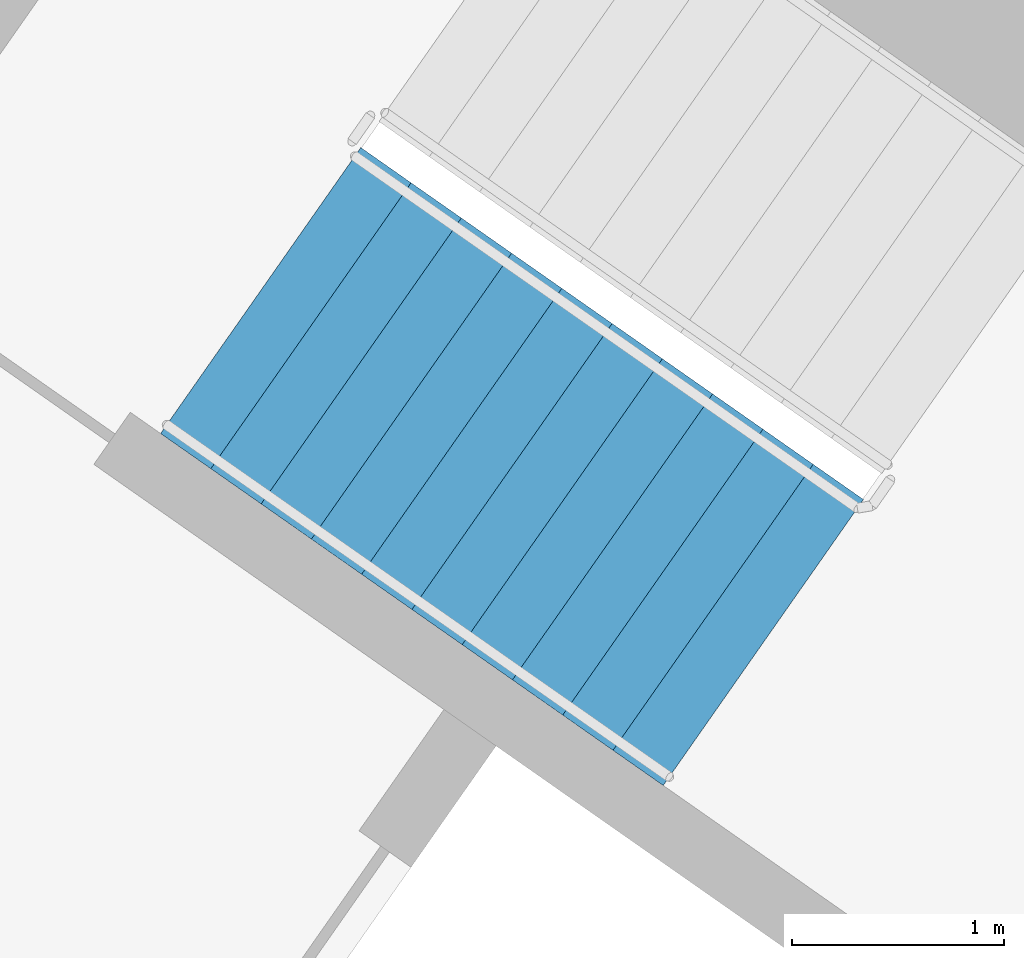
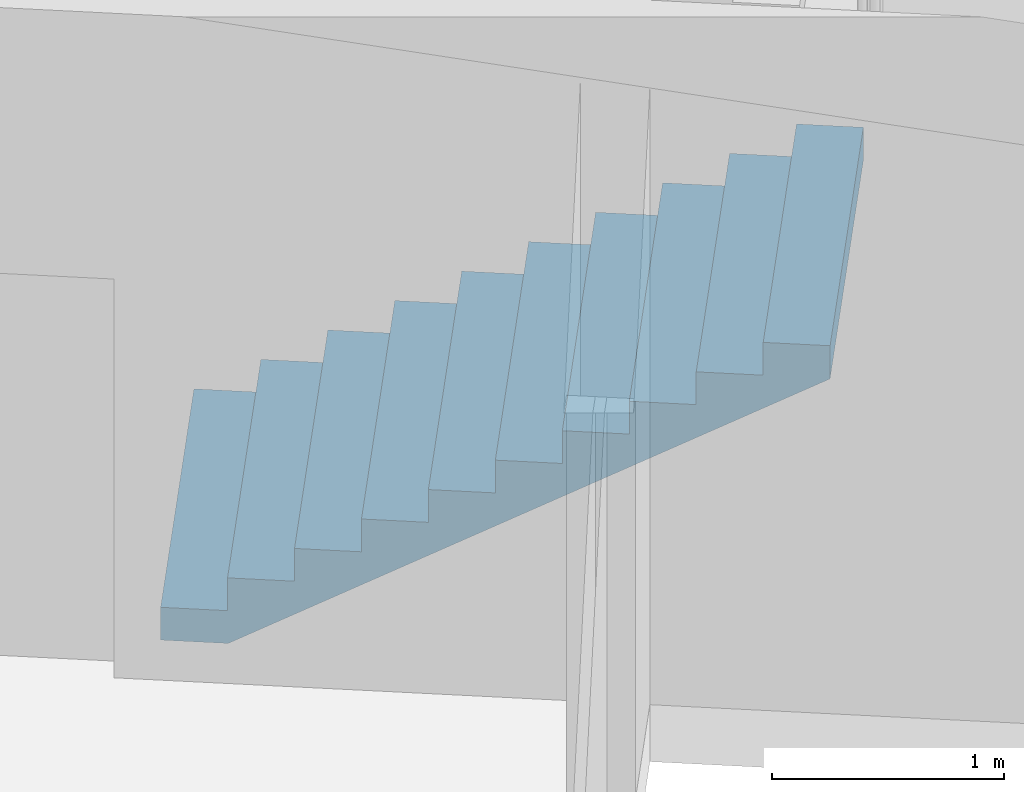
# One storey, part 11 of 29: 1 stair flight, 1 element without a shape of its own.
"""IFC4 building model written with IfcOpenShell, lengths in metres."""

from ifc_helpers import new_model, si_unit, direction, frame, origin, place, context, subcontext, project, spatial, faceted_brep, material, type_object, element, aggregate, save


model = new_model("IFC4")

# Units and contexts
model_context = context("Model", 3, precision=1e-05, world=origin(), true_north=direction((0.0, 1.0)))
body_context = subcontext(model_context, "Body", "Model", "MODEL_VIEW")
ifc_project = project(units=[si_unit("LENGTHUNIT", "METRE"), si_unit("AREAUNIT", "SQUARE_METRE"), si_unit("VOLUMEUNIT", "CUBIC_METRE"), si_unit("PLANEANGLEUNIT", "RADIAN"), si_unit("MASSUNIT", "GRAM", prefix="KILO")], contexts=[model_context])

# Site, building, storey
site_placement = place(None, origin())
site = spatial("IfcSite", under=ifc_project, at=site_placement, CompositionType="ELEMENT")
building_placement = place(site_placement, origin())
building = spatial("IfcBuilding", under=site, at=building_placement, Name="Qamariyya Broadcast Tower", CompositionType="ELEMENT")
storey_placement = place(building_placement, frame((0.0, 0.0, 121.5)))
storey = spatial("IfcBuildingStorey", under=building, at=storey_placement, Name="L27", CompositionType="ELEMENT", Elevation=121.5)

# Stair, stair flight
ifc_material = material(Name="Concrete C50/60", Category="concrete")
stair_type = type_object("IfcStairType", Name="Exit stair 22 risers of 173 mm", PredefinedType="HALF_TURN_STAIR", material=ifc_material)
stair_placement = place(storey_placement, origin())
stair = element("IfcStair", 1, at=stair_placement, inside=storey, type_object=stair_type, Name="L27 Stair W2", PredefinedType="HALF_TURN_STAIR")
stair_flight_type = type_object("IfcStairFlightType", Name="Exit stair flight 11 risers of 173 mm", PredefinedType="STRAIGHT", material=ifc_material)
stair_flight_placement = place(storey_placement, frame((-41.59130859375, -49.15966796875, 0.0), z_axis=(0.0, 0.0, 1.0), x_axis=(0.819152044289, -0.573576436351, 0.0)))
stair_flight = element("IfcStairFlight", 2, at=stair_flight_placement, type_object=stair_flight_type, Name="ST-W2 flight 1", NumberOfRisers=11, NumberOfTreads=10, PredefinedType="STRAIGHT", RiserHeight=0.172727273, TreadLength=0.29, context=body_context, shape_type="Brep", body=[
    faceted_brep([(0.0, 0.824951171875, 0.0), (0.0, 0.824951171875, 0.172607421875), (0.2900390625, 0.824951171875, 0.172607421875), (0.2900390625, 0.824951171875, 0.345458984375), (0.580078125, 0.824951171875, 0.345458984375), (0.580078125, 0.824951171875, 0.51806640625), (0.8701171875, 0.824951171875, 0.51806640625), (0.8701171875, 0.824951171875, 0.69091796875), (1.159912109375, 0.824951171875, 0.69091796875), (1.159912109375, 0.824951171875, 0.863525390625), (1.449951171875, 0.824951171875, 0.863525390625), (1.449951171875, 0.824951171875, 1.036376953125), (1.739990234375, 0.824951171875, 1.036376953125), (1.739990234375, 0.824951171875, 1.208984375), (2.030029296875, 0.824951171875, 1.208984375), (2.030029296875, 0.824951171875, 1.3818359375), (2.320068359375, 0.824951171875, 1.3818359375), (2.320068359375, 0.824951171875, 1.554443359375), (2.610107421875, 0.824951171875, 1.554443359375), (2.610107421875, 0.824951171875, 1.727294921875), (2.89990234375, 0.824951171875, 1.727294921875), (2.89990234375, 0.824951171875, 1.552734375), (0.29296875, 0.824951171875, 0.0), (0.29296875, -0.824951171875, 0.0), (2.89990234375, -0.824951171875, 1.552734375), (2.89990234375, -0.824951171875, 1.727294921875), (2.610107421875, -0.824951171875, 1.727294921875), (2.610107421875, -0.824951171875, 1.554443359375), (2.320068359375, -0.824951171875, 1.554443359375), (2.320068359375, -0.824951171875, 1.3818359375), (2.030029296875, -0.824951171875, 1.3818359375), (2.030029296875, -0.824951171875, 1.208984375), (1.739990234375, -0.824951171875, 1.208984375), (1.739990234375, -0.824951171875, 1.036376953125), (1.449951171875, -0.824951171875, 1.036376953125), (1.449951171875, -0.824951171875, 0.863525390625), (1.159912109375, -0.824951171875, 0.863525390625), (1.159912109375, -0.824951171875, 0.69091796875), (0.8701171875, -0.824951171875, 0.69091796875), (0.8701171875, -0.824951171875, 0.51806640625), (0.580078125, -0.824951171875, 0.51806640625), (0.580078125, -0.824951171875, 0.345458984375), (0.2900390625, -0.824951171875, 0.345458984375), (0.2900390625, -0.824951171875, 0.172607421875), (0.0, -0.824951171875, 0.172607421875), (0.0, -0.824951171875, 0.0), (0.0, 0.10009765625, 0.0), (0.0, 0.086669921875, 0.0), (0.0, 0.0732421875, 0.0), (0.0, 0.06005859375, 0.0), (0.0, 0.046630859375, 0.0), (0.0, 0.033447265625, 0.0), (0.0, 0.02001953125, 0.0), (0.0, 0.006591796875, 0.0), (0.0, -0.006591796875, 0.0), (0.0, -0.02001953125, 0.0), (0.0, -0.033447265625, 0.0), (0.0, -0.046630859375, 0.0), (0.0, -0.06005859375, 0.0), (0.0, -0.0732421875, 0.0), (0.0, -0.086669921875, 0.0), (0.0, -0.10009765625, 0.0), (0.0, -0.10009765625, 0.172607421875), (0.0, -0.086669921875, 0.172607421875), (0.0, -0.0732421875, 0.172607421875), (0.0, -0.06005859375, 0.172607421875), (0.0, -0.046630859375, 0.172607421875), (0.0, -0.033447265625, 0.172607421875), (0.0, -0.02001953125, 0.172607421875), (0.0, -0.006591796875, 0.172607421875), (0.0, 0.006591796875, 0.172607421875), (0.0, 0.02001953125, 0.172607421875), (0.0, 0.033447265625, 0.172607421875), (0.0, 0.046630859375, 0.172607421875), (0.0, 0.06005859375, 0.172607421875), (0.0, 0.0732421875, 0.172607421875), (0.0, 0.086669921875, 0.172607421875), (0.0, 0.10009765625, 0.172607421875), (0.2900390625, -0.10009765625, 0.172607421875), (0.2900390625, -0.086669921875, 0.172607421875), (0.2900390625, -0.0732421875, 0.172607421875), (0.2900390625, -0.06005859375, 0.172607421875), (0.2900390625, -0.046630859375, 0.172607421875), (0.2900390625, -0.033447265625, 0.172607421875), (0.2900390625, -0.02001953125, 0.172607421875), (0.2900390625, -0.006591796875, 0.172607421875), (0.2900390625, 0.006591796875, 0.172607421875), (0.2900390625, 0.02001953125, 0.172607421875), (0.2900390625, 0.033447265625, 0.172607421875), (0.2900390625, 0.046630859375, 0.172607421875), (0.2900390625, 0.06005859375, 0.172607421875), (0.2900390625, 0.0732421875, 0.172607421875), (0.2900390625, 0.086669921875, 0.172607421875), (0.2900390625, 0.10009765625, 0.172607421875), (0.2900390625, -0.10009765625, 0.345458984375), (0.2900390625, -0.086669921875, 0.345458984375), (0.2900390625, -0.0732421875, 0.345458984375), (0.2900390625, -0.06005859375, 0.345458984375), (0.2900390625, -0.046630859375, 0.345458984375), (0.2900390625, -0.033447265625, 0.345458984375), (0.2900390625, -0.02001953125, 0.345458984375), (0.2900390625, -0.006591796875, 0.345458984375), (0.2900390625, 0.006591796875, 0.345458984375), (0.2900390625, 0.02001953125, 0.345458984375), (0.2900390625, 0.033447265625, 0.345458984375), (0.2900390625, 0.046630859375, 0.345458984375), (0.2900390625, 0.06005859375, 0.345458984375), (0.2900390625, 0.0732421875, 0.345458984375), (0.2900390625, 0.086669921875, 0.345458984375), (0.2900390625, 0.10009765625, 0.345458984375), (0.580078125, -0.10009765625, 0.345458984375), (0.580078125, -0.086669921875, 0.345458984375), (0.580078125, -0.0732421875, 0.345458984375), (0.580078125, -0.06005859375, 0.345458984375), (0.580078125, -0.046630859375, 0.345458984375), (0.580078125, -0.033447265625, 0.345458984375), (0.580078125, -0.02001953125, 0.345458984375), (0.580078125, -0.006591796875, 0.345458984375), (0.580078125, 0.006591796875, 0.345458984375), (0.580078125, 0.02001953125, 0.345458984375), (0.580078125, 0.033447265625, 0.345458984375), (0.580078125, 0.046630859375, 0.345458984375), (0.580078125, 0.06005859375, 0.345458984375), (0.580078125, 0.0732421875, 0.345458984375), (0.580078125, 0.086669921875, 0.345458984375), (0.580078125, 0.10009765625, 0.345458984375), (0.580078125, -0.10009765625, 0.51806640625), (0.580078125, -0.086669921875, 0.51806640625), (0.580078125, -0.0732421875, 0.51806640625), (0.580078125, -0.06005859375, 0.51806640625), (0.580078125, -0.046630859375, 0.51806640625), (0.580078125, -0.033447265625, 0.51806640625), (0.580078125, -0.02001953125, 0.51806640625), (0.580078125, -0.006591796875, 0.51806640625), (0.580078125, 0.006591796875, 0.51806640625), (0.580078125, 0.02001953125, 0.51806640625), (0.580078125, 0.033447265625, 0.51806640625), (0.580078125, 0.046630859375, 0.51806640625), (0.580078125, 0.06005859375, 0.51806640625), (0.580078125, 0.0732421875, 0.51806640625), (0.580078125, 0.086669921875, 0.51806640625), (0.580078125, 0.10009765625, 0.51806640625), (0.8701171875, -0.10009765625, 0.51806640625), (0.8701171875, -0.086669921875, 0.51806640625), (0.8701171875, -0.0732421875, 0.51806640625), (0.8701171875, -0.06005859375, 0.51806640625), (0.8701171875, -0.046630859375, 0.51806640625), (0.8701171875, -0.033447265625, 0.51806640625), (0.8701171875, -0.02001953125, 0.51806640625), (0.8701171875, -0.006591796875, 0.51806640625), (0.8701171875, 0.006591796875, 0.51806640625), (0.8701171875, 0.02001953125, 0.51806640625), (0.8701171875, 0.033447265625, 0.51806640625), (0.8701171875, 0.046630859375, 0.51806640625), (0.8701171875, 0.06005859375, 0.51806640625), (0.8701171875, 0.0732421875, 0.51806640625), (0.8701171875, 0.086669921875, 0.51806640625), (0.8701171875, 0.10009765625, 0.51806640625), (0.8701171875, -0.10009765625, 0.69091796875), (0.8701171875, -0.086669921875, 0.69091796875), (0.8701171875, -0.0732421875, 0.69091796875), (0.8701171875, -0.06005859375, 0.69091796875), (0.8701171875, -0.046630859375, 0.69091796875), (0.8701171875, -0.033447265625, 0.69091796875), (0.8701171875, -0.02001953125, 0.69091796875), (0.8701171875, -0.006591796875, 0.69091796875), (0.8701171875, 0.006591796875, 0.69091796875), (0.8701171875, 0.02001953125, 0.69091796875), (0.8701171875, 0.033447265625, 0.69091796875), (0.8701171875, 0.046630859375, 0.69091796875), (0.8701171875, 0.06005859375, 0.69091796875), (0.8701171875, 0.0732421875, 0.69091796875), (0.8701171875, 0.086669921875, 0.69091796875), (0.8701171875, 0.10009765625, 0.69091796875), (1.159912109375, -0.10009765625, 0.69091796875), (1.159912109375, -0.086669921875, 0.69091796875), (1.159912109375, -0.0732421875, 0.69091796875), (1.159912109375, -0.06005859375, 0.69091796875), (1.159912109375, -0.046630859375, 0.69091796875), (1.159912109375, -0.033447265625, 0.69091796875), (1.159912109375, -0.02001953125, 0.69091796875), (1.159912109375, -0.006591796875, 0.69091796875), (1.159912109375, 0.006591796875, 0.69091796875), (1.159912109375, 0.02001953125, 0.69091796875), (1.159912109375, 0.033447265625, 0.69091796875), (1.159912109375, 0.046630859375, 0.69091796875), (1.159912109375, 0.06005859375, 0.69091796875), (1.159912109375, 0.0732421875, 0.69091796875), (1.159912109375, 0.086669921875, 0.69091796875), (1.159912109375, 0.10009765625, 0.69091796875), (1.159912109375, -0.10009765625, 0.863525390625), (1.159912109375, -0.086669921875, 0.863525390625), (1.159912109375, -0.0732421875, 0.863525390625), (1.159912109375, -0.06005859375, 0.863525390625), (1.159912109375, -0.046630859375, 0.863525390625), (1.159912109375, -0.033447265625, 0.863525390625), (1.159912109375, -0.02001953125, 0.863525390625), (1.159912109375, -0.006591796875, 0.863525390625), (1.159912109375, 0.006591796875, 0.863525390625), (1.159912109375, 0.02001953125, 0.863525390625), (1.159912109375, 0.033447265625, 0.863525390625), (1.159912109375, 0.046630859375, 0.863525390625), (1.159912109375, 0.06005859375, 0.863525390625), (1.159912109375, 0.0732421875, 0.863525390625), (1.159912109375, 0.086669921875, 0.863525390625), (1.159912109375, 0.10009765625, 0.863525390625), (1.449951171875, -0.10009765625, 0.863525390625), (1.449951171875, -0.086669921875, 0.863525390625), (1.449951171875, -0.0732421875, 0.863525390625), (1.449951171875, -0.06005859375, 0.863525390625), (1.449951171875, -0.046630859375, 0.863525390625), (1.449951171875, -0.033447265625, 0.863525390625), (1.449951171875, -0.02001953125, 0.863525390625), (1.449951171875, -0.006591796875, 0.863525390625), (1.449951171875, 0.006591796875, 0.863525390625), (1.449951171875, 0.02001953125, 0.863525390625), (1.449951171875, 0.033447265625, 0.863525390625), (1.449951171875, 0.046630859375, 0.863525390625), (1.449951171875, 0.06005859375, 0.863525390625), (1.449951171875, 0.0732421875, 0.863525390625), (1.449951171875, 0.086669921875, 0.863525390625), (1.449951171875, 0.10009765625, 0.863525390625), (1.449951171875, -0.10009765625, 1.036376953125), (1.449951171875, -0.086669921875, 1.036376953125), (1.449951171875, -0.0732421875, 1.036376953125), (1.449951171875, -0.06005859375, 1.036376953125), (1.449951171875, -0.046630859375, 1.036376953125), (1.449951171875, -0.033447265625, 1.036376953125), (1.449951171875, -0.02001953125, 1.036376953125), (1.449951171875, -0.006591796875, 1.036376953125), (1.449951171875, 0.006591796875, 1.036376953125), (1.449951171875, 0.02001953125, 1.036376953125), (1.449951171875, 0.033447265625, 1.036376953125), (1.449951171875, 0.046630859375, 1.036376953125), (1.449951171875, 0.06005859375, 1.036376953125), (1.449951171875, 0.0732421875, 1.036376953125), (1.449951171875, 0.086669921875, 1.036376953125), (1.449951171875, 0.10009765625, 1.036376953125), (1.739990234375, -0.10009765625, 1.036376953125), (1.739990234375, -0.086669921875, 1.036376953125), (1.739990234375, -0.0732421875, 1.036376953125), (1.739990234375, -0.06005859375, 1.036376953125), (1.739990234375, -0.046630859375, 1.036376953125), (1.739990234375, -0.033447265625, 1.036376953125), (1.739990234375, -0.02001953125, 1.036376953125), (1.739990234375, -0.006591796875, 1.036376953125), (1.739990234375, 0.006591796875, 1.036376953125), (1.739990234375, 0.02001953125, 1.036376953125), (1.739990234375, 0.033447265625, 1.036376953125), (1.739990234375, 0.046630859375, 1.036376953125), (1.739990234375, 0.06005859375, 1.036376953125), (1.739990234375, 0.0732421875, 1.036376953125), (1.739990234375, 0.086669921875, 1.036376953125), (1.739990234375, 0.10009765625, 1.036376953125), (1.739990234375, -0.10009765625, 1.208984375), (1.739990234375, -0.086669921875, 1.208984375), (1.739990234375, -0.0732421875, 1.208984375), (1.739990234375, -0.06005859375, 1.208984375), (1.739990234375, -0.046630859375, 1.208984375), (1.739990234375, -0.033447265625, 1.208984375), (1.739990234375, -0.02001953125, 1.208984375), (1.739990234375, -0.006591796875, 1.208984375), (1.739990234375, 0.006591796875, 1.208984375), (1.739990234375, 0.02001953125, 1.208984375), (1.739990234375, 0.033447265625, 1.208984375), (1.739990234375, 0.046630859375, 1.208984375), (1.739990234375, 0.06005859375, 1.208984375), (1.739990234375, 0.0732421875, 1.208984375), (1.739990234375, 0.086669921875, 1.208984375), (1.739990234375, 0.10009765625, 1.208984375), (2.030029296875, -0.10009765625, 1.208984375), (2.030029296875, -0.086669921875, 1.208984375), (2.030029296875, -0.0732421875, 1.208984375), (2.030029296875, -0.06005859375, 1.208984375), (2.030029296875, -0.046630859375, 1.208984375), (2.030029296875, -0.033447265625, 1.208984375), (2.030029296875, -0.02001953125, 1.208984375), (2.030029296875, -0.006591796875, 1.208984375), (2.030029296875, 0.006591796875, 1.208984375), (2.030029296875, 0.02001953125, 1.208984375), (2.030029296875, 0.033447265625, 1.208984375), (2.030029296875, 0.046630859375, 1.208984375), (2.030029296875, 0.06005859375, 1.208984375), (2.030029296875, 0.0732421875, 1.208984375), (2.030029296875, 0.086669921875, 1.208984375), (2.030029296875, 0.10009765625, 1.208984375), (2.030029296875, -0.10009765625, 1.3818359375), (2.030029296875, -0.086669921875, 1.3818359375), (2.030029296875, -0.0732421875, 1.3818359375), (2.030029296875, -0.06005859375, 1.3818359375), (2.030029296875, -0.046630859375, 1.3818359375), (2.030029296875, -0.033447265625, 1.3818359375), (2.030029296875, -0.02001953125, 1.3818359375), (2.030029296875, -0.006591796875, 1.3818359375), (2.030029296875, 0.006591796875, 1.3818359375), (2.030029296875, 0.02001953125, 1.3818359375), (2.030029296875, 0.033447265625, 1.3818359375), (2.030029296875, 0.046630859375, 1.3818359375), (2.030029296875, 0.06005859375, 1.3818359375), (2.030029296875, 0.0732421875, 1.3818359375), (2.030029296875, 0.086669921875, 1.3818359375), (2.030029296875, 0.10009765625, 1.3818359375), (2.320068359375, -0.10009765625, 1.3818359375), (2.320068359375, -0.086669921875, 1.3818359375), (2.320068359375, -0.0732421875, 1.3818359375), (2.320068359375, -0.06005859375, 1.3818359375), (2.320068359375, -0.046630859375, 1.3818359375), (2.320068359375, -0.033447265625, 1.3818359375), (2.320068359375, -0.02001953125, 1.3818359375), (2.320068359375, -0.006591796875, 1.3818359375), (2.320068359375, 0.006591796875, 1.3818359375), (2.320068359375, 0.02001953125, 1.3818359375), (2.320068359375, 0.033447265625, 1.3818359375), (2.320068359375, 0.046630859375, 1.3818359375), (2.320068359375, 0.06005859375, 1.3818359375), (2.320068359375, 0.0732421875, 1.3818359375), (2.320068359375, 0.086669921875, 1.3818359375), (2.320068359375, 0.10009765625, 1.3818359375), (2.320068359375, -0.10009765625, 1.554443359375), (2.320068359375, -0.086669921875, 1.554443359375), (2.320068359375, -0.0732421875, 1.554443359375), (2.320068359375, -0.06005859375, 1.554443359375), (2.320068359375, -0.046630859375, 1.554443359375), (2.320068359375, -0.033447265625, 1.554443359375), (2.320068359375, -0.02001953125, 1.554443359375), (2.320068359375, -0.006591796875, 1.554443359375), (2.320068359375, 0.006591796875, 1.554443359375), (2.320068359375, 0.02001953125, 1.554443359375), (2.320068359375, 0.033447265625, 1.554443359375), (2.320068359375, 0.046630859375, 1.554443359375), (2.320068359375, 0.06005859375, 1.554443359375), (2.320068359375, 0.0732421875, 1.554443359375), (2.320068359375, 0.086669921875, 1.554443359375), (2.320068359375, 0.10009765625, 1.554443359375), (2.610107421875, -0.10009765625, 1.554443359375), (2.610107421875, -0.086669921875, 1.554443359375), (2.610107421875, -0.0732421875, 1.554443359375), (2.610107421875, -0.06005859375, 1.554443359375), (2.610107421875, -0.046630859375, 1.554443359375), (2.610107421875, -0.033447265625, 1.554443359375), (2.610107421875, -0.02001953125, 1.554443359375), (2.610107421875, -0.006591796875, 1.554443359375), (2.610107421875, 0.006591796875, 1.554443359375), (2.610107421875, 0.02001953125, 1.554443359375), (2.610107421875, 0.033447265625, 1.554443359375), (2.610107421875, 0.046630859375, 1.554443359375), (2.610107421875, 0.06005859375, 1.554443359375), (2.610107421875, 0.0732421875, 1.554443359375), (2.610107421875, 0.086669921875, 1.554443359375), (2.610107421875, 0.10009765625, 1.554443359375), (2.610107421875, -0.10009765625, 1.727294921875), (2.610107421875, -0.086669921875, 1.727294921875), (2.610107421875, -0.0732421875, 1.727294921875), (2.610107421875, -0.06005859375, 1.727294921875), (2.610107421875, -0.046630859375, 1.727294921875), (2.610107421875, -0.033447265625, 1.727294921875), (2.610107421875, -0.02001953125, 1.727294921875), (2.610107421875, -0.006591796875, 1.727294921875), (2.610107421875, 0.006591796875, 1.727294921875), (2.610107421875, 0.02001953125, 1.727294921875), (2.610107421875, 0.033447265625, 1.727294921875), (2.610107421875, 0.046630859375, 1.727294921875), (2.610107421875, 0.06005859375, 1.727294921875), (2.610107421875, 0.0732421875, 1.727294921875), (2.610107421875, 0.086669921875, 1.727294921875), (2.610107421875, 0.10009765625, 1.727294921875), (2.89990234375, -0.10009765625, 1.727294921875), (2.89990234375, -0.086669921875, 1.727294921875), (2.89990234375, -0.0732421875, 1.727294921875), (2.89990234375, -0.06005859375, 1.727294921875), (2.89990234375, -0.046630859375, 1.727294921875), (2.89990234375, -0.033447265625, 1.727294921875), (2.89990234375, -0.02001953125, 1.727294921875), (2.89990234375, -0.006591796875, 1.727294921875), (2.89990234375, 0.006591796875, 1.727294921875), (2.89990234375, 0.02001953125, 1.727294921875), (2.89990234375, 0.033447265625, 1.727294921875), (2.89990234375, 0.046630859375, 1.727294921875), (2.89990234375, 0.06005859375, 1.727294921875), (2.89990234375, 0.0732421875, 1.727294921875), (2.89990234375, 0.086669921875, 1.727294921875), (2.89990234375, 0.10009765625, 1.727294921875), (2.89990234375, -0.10009765625, 1.552734375), (2.89990234375, -0.086669921875, 1.552734375), (2.89990234375, -0.0732421875, 1.552734375), (2.89990234375, -0.06005859375, 1.552734375), (2.89990234375, -0.046630859375, 1.552734375), (2.89990234375, -0.033447265625, 1.552734375), (2.89990234375, -0.02001953125, 1.552734375), (2.89990234375, -0.006591796875, 1.552734375), (2.89990234375, 0.006591796875, 1.552734375), (2.89990234375, 0.02001953125, 1.552734375), (2.89990234375, 0.033447265625, 1.552734375), (2.89990234375, 0.046630859375, 1.552734375), (2.89990234375, 0.06005859375, 1.552734375), (2.89990234375, 0.0732421875, 1.552734375), (2.89990234375, 0.086669921875, 1.552734375), (2.89990234375, 0.10009765625, 1.552734375), (0.29296875, -0.10009765625, 0.0), (0.29296875, -0.086669921875, 0.0), (0.29296875, -0.0732421875, 0.0), (0.29296875, -0.06005859375, 0.0), (0.29296875, -0.046630859375, 0.0), (0.29296875, -0.033447265625, 0.0), (0.29296875, -0.02001953125, 0.0), (0.29296875, -0.006591796875, 0.0), (0.29296875, 0.006591796875, 0.0), (0.29296875, 0.02001953125, 0.0), (0.29296875, 0.033447265625, 0.0), (0.29296875, 0.046630859375, 0.0), (0.29296875, 0.06005859375, 0.0), (0.29296875, 0.0732421875, 0.0), (0.29296875, 0.086669921875, 0.0), (0.29296875, 0.10009765625, 0.0)], [[[0, 1, 2, 3, 4, 5, 6, 7, 8, 9, 10, 11, 12, 13, 14, 15, 16, 17, 18, 19, 20, 21, 22]], [[23, 24, 25, 26, 27, 28, 29, 30, 31, 32, 33, 34, 35, 36, 37, 38, 39, 40, 41, 42, 43, 44, 45]], [[0, 46, 47, 48, 49, 50, 51, 52, 53, 54, 55, 56, 57, 58, 59, 60, 61, 45, 44, 62, 63, 64, 65, 66, 67, 68, 69, 70, 71, 72, 73, 74, 75, 76, 77, 1]], [[1, 77, 76, 75, 74, 73, 72, 71, 70, 69, 68, 67, 66, 65, 64, 63, 62, 44, 43, 78, 79, 80, 81, 82, 83, 84, 85, 86, 87, 88, 89, 90, 91, 92, 93, 2]], [[2, 93, 92, 91, 90, 89, 88, 87, 86, 85, 84, 83, 82, 81, 80, 79, 78, 43, 42, 94, 95, 96, 97, 98, 99, 100, 101, 102, 103, 104, 105, 106, 107, 108, 109, 3]], [[3, 109, 108, 107, 106, 105, 104, 103, 102, 101, 100, 99, 98, 97, 96, 95, 94, 42, 41, 110, 111, 112, 113, 114, 115, 116, 117, 118, 119, 120, 121, 122, 123, 124, 125, 4]], [[4, 125, 124, 123, 122, 121, 120, 119, 118, 117, 116, 115, 114, 113, 112, 111, 110, 41, 40, 126, 127, 128, 129, 130, 131, 132, 133, 134, 135, 136, 137, 138, 139, 140, 141, 5]], [[5, 141, 140, 139, 138, 137, 136, 135, 134, 133, 132, 131, 130, 129, 128, 127, 126, 40, 39, 142, 143, 144, 145, 146, 147, 148, 149, 150, 151, 152, 153, 154, 155, 156, 157, 6]], [[6, 157, 156, 155, 154, 153, 152, 151, 150, 149, 148, 147, 146, 145, 144, 143, 142, 39, 38, 158, 159, 160, 161, 162, 163, 164, 165, 166, 167, 168, 169, 170, 171, 172, 173, 7]], [[7, 173, 172, 171, 170, 169, 168, 167, 166, 165, 164, 163, 162, 161, 160, 159, 158, 38, 37, 174, 175, 176, 177, 178, 179, 180, 181, 182, 183, 184, 185, 186, 187, 188, 189, 8]], [[8, 189, 188, 187, 186, 185, 184, 183, 182, 181, 180, 179, 178, 177, 176, 175, 174, 37, 36, 190, 191, 192, 193, 194, 195, 196, 197, 198, 199, 200, 201, 202, 203, 204, 205, 9]], [[9, 205, 204, 203, 202, 201, 200, 199, 198, 197, 196, 195, 194, 193, 192, 191, 190, 36, 35, 206, 207, 208, 209, 210, 211, 212, 213, 214, 215, 216, 217, 218, 219, 220, 221, 10]], [[10, 221, 220, 219, 218, 217, 216, 215, 214, 213, 212, 211, 210, 209, 208, 207, 206, 35, 34, 222, 223, 224, 225, 226, 227, 228, 229, 230, 231, 232, 233, 234, 235, 236, 237, 11]], [[11, 237, 236, 235, 234, 233, 232, 231, 230, 229, 228, 227, 226, 225, 224, 223, 222, 34, 33, 238, 239, 240, 241, 242, 243, 244, 245, 246, 247, 248, 249, 250, 251, 252, 253, 12]], [[12, 253, 252, 251, 250, 249, 248, 247, 246, 245, 244, 243, 242, 241, 240, 239, 238, 33, 32, 254, 255, 256, 257, 258, 259, 260, 261, 262, 263, 264, 265, 266, 267, 268, 269, 13]], [[13, 269, 268, 267, 266, 265, 264, 263, 262, 261, 260, 259, 258, 257, 256, 255, 254, 32, 31, 270, 271, 272, 273, 274, 275, 276, 277, 278, 279, 280, 281, 282, 283, 284, 285, 14]], [[14, 285, 284, 283, 282, 281, 280, 279, 278, 277, 276, 275, 274, 273, 272, 271, 270, 31, 30, 286, 287, 288, 289, 290, 291, 292, 293, 294, 295, 296, 297, 298, 299, 300, 301, 15]], [[15, 301, 300, 299, 298, 297, 296, 295, 294, 293, 292, 291, 290, 289, 288, 287, 286, 30, 29, 302, 303, 304, 305, 306, 307, 308, 309, 310, 311, 312, 313, 314, 315, 316, 317, 16]], [[16, 317, 316, 315, 314, 313, 312, 311, 310, 309, 308, 307, 306, 305, 304, 303, 302, 29, 28, 318, 319, 320, 321, 322, 323, 324, 325, 326, 327, 328, 329, 330, 331, 332, 333, 17]], [[17, 333, 332, 331, 330, 329, 328, 327, 326, 325, 324, 323, 322, 321, 320, 319, 318, 28, 27, 334, 335, 336, 337, 338, 339, 340, 341, 342, 343, 344, 345, 346, 347, 348, 349, 18]], [[18, 349, 348, 347, 346, 345, 344, 343, 342, 341, 340, 339, 338, 337, 336, 335, 334, 27, 26, 350, 351, 352, 353, 354, 355, 356, 357, 358, 359, 360, 361, 362, 363, 364, 365, 19]], [[19, 365, 364, 363, 362, 361, 360, 359, 358, 357, 356, 355, 354, 353, 352, 351, 350, 26, 25, 366, 367, 368, 369, 370, 371, 372, 373, 374, 375, 376, 377, 378, 379, 380, 381, 20]], [[20, 381, 380, 379, 378, 377, 376, 375, 374, 373, 372, 371, 370, 369, 368, 367, 366, 25, 24, 382, 383, 384, 385, 386, 387, 388, 389, 390, 391, 392, 393, 394, 395, 396, 397, 21]], [[21, 397, 396, 395, 394, 393, 392, 391, 390, 389, 388, 387, 386, 385, 384, 383, 382, 24, 23, 398, 399, 400, 401, 402, 403, 404, 405, 406, 407, 408, 409, 410, 411, 412, 413, 22]], [[22, 413, 412, 411, 410, 409, 408, 407, 406, 405, 404, 403, 402, 401, 400, 399, 398, 23, 45, 61, 60, 59, 58, 57, 56, 55, 54, 53, 52, 51, 50, 49, 48, 47, 46, 0]]]),
])
aggregate(stair, [stair_flight])

save(model, "model.ifc")
